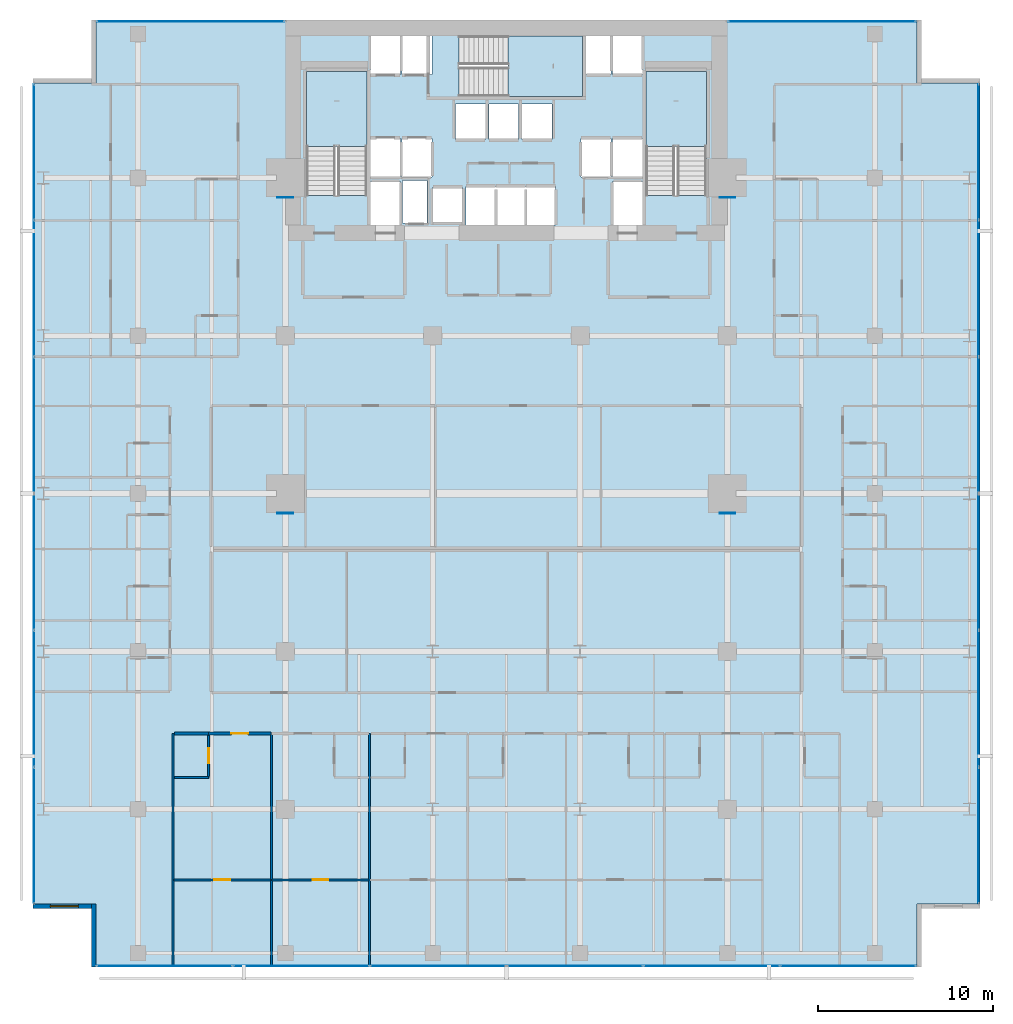
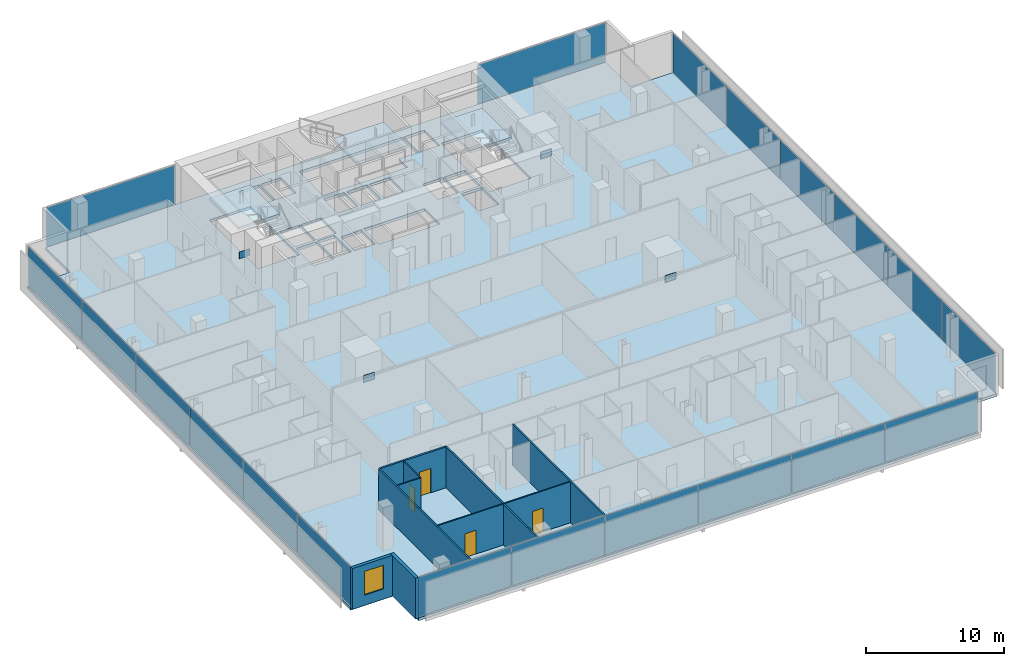
# One storey, part 32 of 41: 24 plates, 11 walls, 4 doors, 4 slabs, 1 window, 5 openings, 8 elements without a shape of their own.
"""IFC4 building model written with IfcOpenShell, lengths in metres."""

from ifc_helpers import new_model, si_unit, direction, frame, frame_2d, origin, origin_2d, place, context, subcontext, project, spatial, polyline, rectangle, outline, extrude, material, layer, layer_set, type_object, element, fill, aggregate, save


model = new_model("IFC4")

# Units and contexts
model_context = context("Model", 3, precision=1e-05, world=origin(), true_north=direction((0.0, 1.0)))
body_context = subcontext(model_context, "Body", "Model", "MODEL_VIEW")
ifc_project = project(units=[si_unit("LENGTHUNIT", "METRE"), si_unit("AREAUNIT", "SQUARE_METRE"), si_unit("VOLUMEUNIT", "CUBIC_METRE"), si_unit("PLANEANGLEUNIT", "RADIAN"), si_unit("MASSUNIT", "GRAM", prefix="KILO")], contexts=[model_context])

# Site, building, storey
site_placement = place(None, origin())
site = spatial("IfcSite", under=ifc_project, at=site_placement, CompositionType="ELEMENT")
building_placement = place(site_placement, origin())
building = spatial("IfcBuilding", under=site, at=building_placement, Name="Maruvema Waterfront Hotel and Observation Tower", CompositionType="ELEMENT")
storey_placement = place(building_placement, frame((0.0, 0.0, 61.60009765625)))
storey = spatial("IfcBuildingStorey", under=building, at=storey_placement, Name="L14", CompositionType="ELEMENT", Elevation=61.60009765625)

# Slab
ifc_material_1 = material(Name="Concrete C50/60", Category="concrete")
ifc_layer_1 = layer(ifc_material_1, 0.239990234375, Name="Reinforced Concrete Floor Slab 240 mm")
ifc_layer_set_1 = layer_set([ifc_layer_1], Name="Concrete C50/60")
slab_type_1 = type_object("IfcSlabType", Name="Reinforced Concrete Floor Slab 240 mm", PredefinedType="FLOOR", material=ifc_layer_set_1)
slab_1_placement = place(storey_placement, frame((0.0, 0.0, -0.239990234375)))
element("IfcSlab", 1, at=slab_1_placement, inside=storey, type_object=slab_type_1, Name="L14 Structural Floor Slab", PredefinedType="FLOOR", context=body_context, shape_type="SweptSolid", body=[
    extrude(outline(polyline([(14.39990234375, 0.0), (61.199951171875, 0.0), (61.199951171875, 3.60009765625), (64.800048828125, 3.60009765625), (64.800048828125, 50.39990234375), (61.199951171875, 50.39990234375), (61.199951171875, 54.0), (14.39990234375, 54.0), (14.39990234375, 50.39990234375), (10.800048828125, 50.39990234375), (10.800048828125, 3.60009765625), (14.39990234375, 3.60009765625), (14.39990234375, 0.0)]), holes=[polyline([(26.39990234375, 44.00048828125), (26.39990234375, 51.050048828125), (29.85009765625, 51.050048828125), (29.85009765625, 44.00048828125), (26.39990234375, 44.00048828125)]), polyline([(30.050048828125, 44.800048828125), (31.75, 44.800048828125), (31.75, 42.320068359375), (30.050048828125, 42.320068359375), (30.050048828125, 44.800048828125)]), polyline([(31.75, 47.25), (31.75, 45.050048828125), (30.050048828125, 45.050048828125), (30.050048828125, 47.25), (31.75, 47.25)]), polyline([(31.75, 53.10009765625), (31.75, 50.89990234375), (30.050048828125, 50.89990234375), (30.050048828125, 53.10009765625), (31.75, 53.10009765625)]), polyline([(33.280029296875, 44.860107421875), (33.280029296875, 42.43994140625), (31.8798828125, 42.43994140625), (31.8798828125, 44.860107421875), (33.280029296875, 44.860107421875)]), polyline([(31.85009765625, 47.25), (33.550048828125, 47.25), (33.550048828125, 45.050048828125), (31.85009765625, 45.050048828125), (31.85009765625, 47.25)]), polyline([(31.85009765625, 53.10009765625), (33.550048828125, 53.10009765625), (33.550048828125, 50.89990234375), (31.85009765625, 50.89990234375), (31.85009765625, 53.10009765625)]), polyline([(33.60009765625, 44.449951171875), (35.300048828125, 44.449951171875), (35.300048828125, 42.449951171875), (33.60009765625, 42.449951171875), (33.60009765625, 44.449951171875)]), polyline([(34.89990234375, 49.199951171875), (36.60009765625, 49.199951171875), (36.60009765625, 47.199951171875), (34.89990234375, 47.199951171875), (34.89990234375, 49.199951171875)]), polyline([(38.5, 49.199951171875), (38.5, 47.199951171875), (36.800048828125, 47.199951171875), (36.800048828125, 49.199951171875), (38.5, 49.199951171875)]), polyline([(35.5, 44.5), (40.60009765625, 44.5), (40.60009765625, 42.300048828125), (35.5, 42.300048828125), (35.5, 44.5)]), polyline([(43.75, 50.89990234375), (42.14990234375, 50.89990234375), (42.14990234375, 49.64990234375), (35.1005859375, 49.64990234375), (35.1005859375, 53.10009765625), (43.75, 53.10009765625), (43.75, 50.89990234375)]), polyline([(40.39990234375, 49.199951171875), (40.39990234375, 47.199951171875), (38.699951171875, 47.199951171875), (38.699951171875, 49.199951171875), (40.39990234375, 49.199951171875)]), polyline([(43.75, 47.25), (43.75, 45.050048828125), (42.050048828125, 45.050048828125), (42.050048828125, 47.25), (43.75, 47.25)]), polyline([(45.550048828125, 44.800048828125), (45.550048828125, 42.320068359375), (43.85009765625, 42.320068359375), (43.85009765625, 44.800048828125), (45.550048828125, 44.800048828125)]), polyline([(43.85009765625, 47.25), (45.550048828125, 47.25), (45.550048828125, 45.050048828125), (43.85009765625, 45.050048828125), (43.85009765625, 47.25)]), polyline([(45.550048828125, 53.10009765625), (45.550048828125, 50.89990234375), (43.85009765625, 50.89990234375), (43.85009765625, 53.10009765625), (45.550048828125, 53.10009765625)]), polyline([(45.75, 51.050048828125), (49.199951171875, 51.050048828125), (49.199951171875, 44.00048828125), (45.75, 44.00048828125), (45.75, 51.050048828125)])]), origin(), (0.0, 0.0, 1.0), 0.239990234375),
])

# Curtain wall, plates
ifc_material_2 = material(Name="Anodised bronze aluminium and solar-control low-E IGU", Category="aluminium")
ifc_layer_2 = layer(ifc_material_2, 0.159912109375, Name="Zone 1 Bronze Inner Thermal Curtain Wall System CW-02")
ifc_layer_set_2 = layer_set([ifc_layer_2], Name="Anodised bronze aluminium and solar-control low-E IGU")
curtain_wall_type = type_object("IfcCurtainWallType", Name="Zone 1 Bronze Inner Thermal Curtain Wall System CW-02", PredefinedType="USERDEFINED", material=ifc_layer_set_2)
curtain_wall_1_placement = place(storey_placement, origin())
curtain_wall_1 = element("IfcCurtainWall", 2, at=curtain_wall_1_placement, inside=storey, type_object=curtain_wall_type, Name="L14 Curtain Wall CW-L14-S", ObjectType="UNITISED CURTAIN WALL", PredefinedType="USERDEFINED")
ifc_material_3 = material(Name="Laminated low-E solar-control double glazing", Category="glass")
ifc_layer_3 = layer(ifc_material_3, 0.035888671875, Name="Solar Control Double-Glazed Curtain Panel 36 mm")
ifc_layer_set_3 = layer_set([ifc_layer_3], Name="Laminated low-E solar-control double glazing")
plate_type_1 = type_object("IfcPlateType", Name="Solar Control Double-Glazed Curtain Panel 36 mm", PredefinedType="CURTAIN_PANEL", material=ifc_layer_set_3)
plate_1_placement = place(storey_placement, frame((18.31494140625, 0.080078125, 0.06005859375), z_axis=(0.0, 0.0, 1.0), x_axis=(1.0, 0.0, 0.0)))
plate_1 = element("IfcPlate", 3, at=plate_1_placement, type_object=plate_type_1, Name="CW-02 panel 1.1", PredefinedType="CURTAIN_PANEL", context=body_context, shape_type="SweptSolid", body=[
    extrude(rectangle(XDim=7.7099609375, YDim=0.028076171875, at=origin_2d()), origin(), (0.0, 0.0, 1.0), 3.489990234375),
])
plate_2_placement = place(storey_placement, frame((26.10009765625, 0.080078125, 0.06005859375), z_axis=(0.0, 0.0, 1.0), x_axis=(1.0, 0.0, 0.0)))
plate_2 = element("IfcPlate", 4, at=plate_2_placement, type_object=plate_type_1, Name="CW-02 panel 2.1", PredefinedType="CURTAIN_PANEL", context=body_context, shape_type="SweptSolid", body=[
    extrude(rectangle(XDim=7.739990234375, YDim=0.028076171875, at=origin_2d()), origin(), (0.0, 0.0, 1.0), 3.489990234375),
])
plate_3_placement = place(storey_placement, frame((33.89990234375, 0.080078125, 0.06005859375), z_axis=(0.0, 0.0, 1.0), x_axis=(1.0, 0.0, 0.0)))
plate_3 = element("IfcPlate", 5, at=plate_3_placement, type_object=plate_type_1, Name="CW-02 panel 3.1", PredefinedType="CURTAIN_PANEL", context=body_context, shape_type="SweptSolid", body=[
    extrude(rectangle(XDim=7.739990234375, YDim=0.028076171875, at=origin_2d()), origin(), (0.0, 0.0, 1.0), 3.489990234375),
])
plate_4_placement = place(storey_placement, frame((41.699951171875, 0.080078125, 0.06005859375), z_axis=(0.0, 0.0, 1.0), x_axis=(1.0, 0.0, 0.0)))
plate_4 = element("IfcPlate", 6, at=plate_4_placement, type_object=plate_type_1, Name="CW-02 panel 4.1", PredefinedType="CURTAIN_PANEL", context=body_context, shape_type="SweptSolid", body=[
    extrude(rectangle(XDim=7.739990234375, YDim=0.028076171875, at=origin_2d()), origin(), (0.0, 0.0, 1.0), 3.489990234375),
])
plate_5_placement = place(storey_placement, frame((49.5, 0.080078125, 0.06005859375), z_axis=(0.0, 0.0, 1.0), x_axis=(1.0, 0.0, 0.0)))
plate_5 = element("IfcPlate", 7, at=plate_5_placement, type_object=plate_type_1, Name="CW-02 panel 5.1", PredefinedType="CURTAIN_PANEL", context=body_context, shape_type="SweptSolid", body=[
    extrude(rectangle(XDim=7.739990234375, YDim=0.028076171875, at=origin_2d()), origin(), (0.0, 0.0, 1.0), 3.489990234375),
])
plate_6_placement = place(storey_placement, frame((57.284912109375, 0.080078125, 0.06005859375), z_axis=(0.0, 0.0, 1.0), x_axis=(1.0, 0.0, 0.0)))
plate_6 = element("IfcPlate", 8, at=plate_6_placement, type_object=plate_type_1, Name="CW-02 panel 6.1", PredefinedType="CURTAIN_PANEL", context=body_context, shape_type="SweptSolid", body=[
    extrude(rectangle(XDim=7.7099609375, YDim=0.028076171875, at=origin_2d()), origin(), (0.0, 0.0, 1.0), 3.489990234375),
])
aggregate(curtain_wall_1, [plate_1, plate_2, plate_3, plate_4, plate_5, plate_6])

curtain_wall_2_placement = place(storey_placement, origin())
curtain_wall_2 = element("IfcCurtainWall", 9, at=curtain_wall_2_placement, inside=storey, type_object=curtain_wall_type, Name="L14 Curtain Wall CW-L14-E", ObjectType="UNITISED CURTAIN WALL", PredefinedType="USERDEFINED")
plate_7_placement = place(storey_placement, frame((64.719970703125, 7.514892578125, 0.06005859375), z_axis=(0.0, 0.0, 1.0), x_axis=(0.0, 1.0, 0.0)))
plate_7 = element("IfcPlate", 10, at=plate_7_placement, type_object=plate_type_1, Name="CW-02 panel 1.1", PredefinedType="CURTAIN_PANEL", context=body_context, shape_type="SweptSolid", body=[
    extrude(rectangle(XDim=7.7099609375, YDim=0.028076171875, at=origin_2d()), origin(), (0.0, 0.0, 1.0), 3.489990234375),
])
plate_8_placement = place(storey_placement, frame((64.719970703125, 15.300048828125, 0.06005859375), z_axis=(0.0, 0.0, 1.0), x_axis=(0.0, 1.0, 0.0)))
plate_8 = element("IfcPlate", 11, at=plate_8_placement, type_object=plate_type_1, Name="CW-02 panel 2.1", PredefinedType="CURTAIN_PANEL", context=body_context, shape_type="SweptSolid", body=[
    extrude(rectangle(XDim=7.739990234375, YDim=0.028076171875, at=origin_2d()), origin(), (0.0, 0.0, 1.0), 3.489990234375),
])
plate_9_placement = place(storey_placement, frame((64.719970703125, 23.10009765625, 0.06005859375), z_axis=(0.0, 0.0, 1.0), x_axis=(0.0, 1.0, 0.0)))
plate_9 = element("IfcPlate", 12, at=plate_9_placement, type_object=plate_type_1, Name="CW-02 panel 3.1", PredefinedType="CURTAIN_PANEL", context=body_context, shape_type="SweptSolid", body=[
    extrude(rectangle(XDim=7.739990234375, YDim=0.028076171875, at=origin_2d()), origin(), (0.0, 0.0, 1.0), 3.489990234375),
])
plate_10_placement = place(storey_placement, frame((64.719970703125, 30.89990234375, 0.06005859375), z_axis=(0.0, 0.0, 1.0), x_axis=(0.0, 1.0, 0.0)))
plate_10 = element("IfcPlate", 13, at=plate_10_placement, type_object=plate_type_1, Name="CW-02 panel 4.1", PredefinedType="CURTAIN_PANEL", context=body_context, shape_type="SweptSolid", body=[
    extrude(rectangle(XDim=7.739990234375, YDim=0.028076171875, at=origin_2d()), origin(), (0.0, 0.0, 1.0), 3.489990234375),
])
plate_11_placement = place(storey_placement, frame((64.719970703125, 38.699951171875, 0.06005859375), z_axis=(0.0, 0.0, 1.0), x_axis=(0.0, 1.0, 0.0)))
plate_11 = element("IfcPlate", 14, at=plate_11_placement, type_object=plate_type_1, Name="CW-02 panel 5.1", PredefinedType="CURTAIN_PANEL", context=body_context, shape_type="SweptSolid", body=[
    extrude(rectangle(XDim=7.739990234375, YDim=0.028076171875, at=origin_2d()), origin(), (0.0, 0.0, 1.0), 3.489990234375),
])
plate_12_placement = place(storey_placement, frame((64.719970703125, 46.485107421875, 0.06005859375), z_axis=(0.0, 0.0, 1.0), x_axis=(0.0, 1.0, 0.0)))
plate_12 = element("IfcPlate", 15, at=plate_12_placement, type_object=plate_type_1, Name="CW-02 panel 6.1", PredefinedType="CURTAIN_PANEL", context=body_context, shape_type="SweptSolid", body=[
    extrude(rectangle(XDim=7.7099609375, YDim=0.028076171875, at=origin_2d()), origin(), (0.0, 0.0, 1.0), 3.489990234375),
])
aggregate(curtain_wall_2, [plate_7, plate_8, plate_9, plate_10, plate_11, plate_12])

curtain_wall_3_placement = place(storey_placement, origin())
curtain_wall_3 = element("IfcCurtainWall", 16, at=curtain_wall_3_placement, inside=storey, type_object=curtain_wall_type, Name="L14 Curtain Wall CW-L14-W", ObjectType="UNITISED CURTAIN WALL", PredefinedType="USERDEFINED")
plate_13_placement = place(storey_placement, frame((10.8798828125, 46.485107421875, 0.06005859375), z_axis=(0.0, 0.0, 1.0), x_axis=(0.0, -1.0, 0.0)))
plate_13 = element("IfcPlate", 17, at=plate_13_placement, type_object=plate_type_1, Name="CW-02 panel 1.1", PredefinedType="CURTAIN_PANEL", context=body_context, shape_type="SweptSolid", body=[
    extrude(rectangle(XDim=7.7099609375, YDim=0.028076171875, at=origin_2d()), origin(), (0.0, 0.0, 1.0), 3.489990234375),
])
plate_14_placement = place(storey_placement, frame((10.8798828125, 38.699951171875, 0.06005859375), z_axis=(0.0, 0.0, 1.0), x_axis=(0.0, -1.0, 0.0)))
plate_14 = element("IfcPlate", 18, at=plate_14_placement, type_object=plate_type_1, Name="CW-02 panel 2.1", PredefinedType="CURTAIN_PANEL", context=body_context, shape_type="SweptSolid", body=[
    extrude(rectangle(XDim=7.739990234375, YDim=0.028076171875, at=origin_2d()), origin(), (0.0, 0.0, 1.0), 3.489990234375),
])
plate_15_placement = place(storey_placement, frame((10.8798828125, 30.89990234375, 0.06005859375), z_axis=(0.0, 0.0, 1.0), x_axis=(0.0, -1.0, 0.0)))
plate_15 = element("IfcPlate", 19, at=plate_15_placement, type_object=plate_type_1, Name="CW-02 panel 3.1", PredefinedType="CURTAIN_PANEL", context=body_context, shape_type="SweptSolid", body=[
    extrude(rectangle(XDim=7.739990234375, YDim=0.028076171875, at=origin_2d()), origin(), (0.0, 0.0, 1.0), 3.489990234375),
])
plate_16_placement = place(storey_placement, frame((10.8798828125, 23.10009765625, 0.06005859375), z_axis=(0.0, 0.0, 1.0), x_axis=(0.0, -1.0, 0.0)))
plate_16 = element("IfcPlate", 20, at=plate_16_placement, type_object=plate_type_1, Name="CW-02 panel 4.1", PredefinedType="CURTAIN_PANEL", context=body_context, shape_type="SweptSolid", body=[
    extrude(rectangle(XDim=7.739990234375, YDim=0.028076171875, at=origin_2d()), origin(), (0.0, 0.0, 1.0), 3.489990234375),
])
plate_17_placement = place(storey_placement, frame((10.8798828125, 15.300048828125, 0.06005859375), z_axis=(0.0, 0.0, 1.0), x_axis=(0.0, -1.0, 0.0)))
plate_17 = element("IfcPlate", 21, at=plate_17_placement, type_object=plate_type_1, Name="CW-02 panel 5.1", PredefinedType="CURTAIN_PANEL", context=body_context, shape_type="SweptSolid", body=[
    extrude(rectangle(XDim=7.739990234375, YDim=0.028076171875, at=origin_2d()), origin(), (0.0, 0.0, 1.0), 3.489990234375),
])
plate_18_placement = place(storey_placement, frame((10.8798828125, 7.514892578125, 0.06005859375), z_axis=(0.0, 0.0, 1.0), x_axis=(0.0, -1.0, 0.0)))
plate_18 = element("IfcPlate", 22, at=plate_18_placement, type_object=plate_type_1, Name="CW-02 panel 6.1", PredefinedType="CURTAIN_PANEL", context=body_context, shape_type="SweptSolid", body=[
    extrude(rectangle(XDim=7.7099609375, YDim=0.028076171875, at=origin_2d()), origin(), (0.0, 0.0, 1.0), 3.489990234375),
])
aggregate(curtain_wall_3, [plate_13, plate_14, plate_15, plate_16, plate_17, plate_18])

# Curtain wall, plate
curtain_wall_4_placement = place(storey_placement, origin())
curtain_wall_4 = element("IfcCurtainWall", 23, at=curtain_wall_4_placement, inside=storey, type_object=curtain_wall_type, Name="L14 Curtain Wall CW-L14-NW", ObjectType="UNITISED CURTAIN WALL", PredefinedType="USERDEFINED")
plate_19_placement = place(storey_placement, frame((19.800048828125, 53.919921875, 0.06005859375), z_axis=(0.0, 0.0, 1.0), x_axis=(-1.0, 0.0, 0.0)))
plate_19 = element("IfcPlate", 24, at=plate_19_placement, type_object=plate_type_1, Name="CW-02 panel 1.1", PredefinedType="CURTAIN_PANEL", context=body_context, shape_type="SweptSolid", body=[
    extrude(rectangle(XDim=10.679931640625, YDim=0.028076171875, at=origin_2d()), origin(), (0.0, 0.0, 1.0), 3.489990234375),
])
aggregate(curtain_wall_4, [plate_19])

curtain_wall_5_placement = place(storey_placement, origin())
curtain_wall_5 = element("IfcCurtainWall", 25, at=curtain_wall_5_placement, inside=storey, type_object=curtain_wall_type, Name="L14 Curtain Wall CW-L14-NE", ObjectType="UNITISED CURTAIN WALL", PredefinedType="USERDEFINED")
plate_20_placement = place(storey_placement, frame((55.800048828125, 53.919921875, 0.06005859375), z_axis=(0.0, 0.0, 1.0), x_axis=(-1.0, 0.0, 0.0)))
plate_20 = element("IfcPlate", 26, at=plate_20_placement, type_object=plate_type_1, Name="CW-02 panel 1.1", PredefinedType="CURTAIN_PANEL", context=body_context, shape_type="SweptSolid", body=[
    extrude(rectangle(XDim=10.679931640625, YDim=0.028076171875, at=origin_2d()), origin(), (0.0, 0.0, 1.0), 3.489990234375),
])
aggregate(curtain_wall_5, [plate_20])

# Stair, slab
ifc_material_4 = material(Name="Concrete C50/60", Category="concrete")
stair_type = type_object("IfcStairType", Name="Dogleg Exit Stair 1650 mm (22R x 175.0 mm)", PredefinedType="HALF_TURN_STAIR", material=ifc_material_4)
stair_1_placement = place(storey_placement, origin())
stair_1 = element("IfcStair", 27, at=stair_1_placement, inside=storey, type_object=stair_type, Name="L14 ST-01", PredefinedType="HALF_TURN_STAIR")
ifc_material_5 = material(Name="Concrete C50/60", Category="concrete")
ifc_layer_4 = layer(ifc_material_5, 0.219970703125, Name="Stair Concrete Landing Slab 220 mm")
ifc_layer_set_4 = layer_set([ifc_layer_4], Name="Concrete C50/60")
slab_type_2 = type_object("IfcSlabType", Name="Stair Concrete Landing Slab 220 mm", PredefinedType="LANDING", material=ifc_layer_set_4)
slab_2_placement = place(storey_placement, frame((0.0, 0.0, 1.704833984375)))
slab_2 = element("IfcSlab", 28, at=slab_2_placement, type_object=slab_type_2, Name="ST-01 landing 1", PredefinedType="LANDING", context=body_context, shape_type="SweptSolid", body=[
    extrude(outline(polyline([(29.85009765625, 46.800048828125), (29.85009765625, 51.050048828125), (26.39990234375, 51.050048828125), (26.39990234375, 46.800048828125), (29.85009765625, 46.800048828125)])), origin(), (0.0, 0.0, 1.0), 0.219970703125),
])
aggregate(stair_1, [slab_2])

stair_2_placement = place(storey_placement, origin())
stair_2 = element("IfcStair", 29, at=stair_2_placement, inside=storey, type_object=stair_type, Name="L14 ST-02", PredefinedType="HALF_TURN_STAIR")
slab_3_placement = place(storey_placement, frame((0.0, 0.0, 1.704833984375)))
slab_3 = element("IfcSlab", 30, at=slab_3_placement, type_object=slab_type_2, Name="ST-02 landing 1", PredefinedType="LANDING", context=body_context, shape_type="SweptSolid", body=[
    extrude(outline(polyline([(37.89990234375, 49.64990234375), (42.14990234375, 49.64990234375), (42.14990234375, 53.10009765625), (37.89990234375, 53.10009765625), (37.89990234375, 49.64990234375)])), origin(), (0.0, 0.0, 1.0), 0.219970703125),
])
aggregate(stair_2, [slab_3])

stair_3_placement = place(storey_placement, origin())
stair_3 = element("IfcStair", 31, at=stair_3_placement, inside=storey, type_object=stair_type, Name="L14 ST-03", PredefinedType="HALF_TURN_STAIR")
slab_4_placement = place(storey_placement, frame((0.0, 0.0, 1.704833984375)))
slab_4 = element("IfcSlab", 32, at=slab_4_placement, type_object=slab_type_2, Name="ST-03 landing 1", PredefinedType="LANDING", context=body_context, shape_type="SweptSolid", body=[
    extrude(outline(polyline([(49.199951171875, 46.800048828125), (49.199951171875, 51.050048828125), (45.75, 51.050048828125), (45.75, 46.800048828125), (49.199951171875, 46.800048828125)])), origin(), (0.0, 0.0, 1.0), 0.219970703125),
])
aggregate(stair_3, [slab_4])

# Plates
ifc_material_6 = material(Name="Steel ABNT NBR 7007 AR 415 (ASTM A572 Grade 50)", Category="steel")
ifc_layer_5 = layer(ifc_material_6, 0.0400390625, Name="Structural Truss Node Gusset Plate 40 mm")
ifc_layer_set_5 = layer_set([ifc_layer_5], Name="Steel ABNT NBR 7007 AR 415 (ASTM A572 Grade 50)")
plate_type_2 = type_object("IfcPlateType", Name="Structural Truss Node Gusset Plate 40 mm", PredefinedType="USERDEFINED", material=ifc_layer_set_5)
for number, where, z_axis, x_axis, name in (
    (33, (25.199951171875, 25.8798828125, 1.499755859375), (0.0, 0.0, 1.0), (1.0, 0.0, 0.0), "L14 MC-01 Moment Frame Continuity Gusset Plate"),
    (34, (50.39990234375, 25.8798828125, 1.499755859375), (0.0, 0.0, 1.0), (1.0, 0.0, 0.0), "L14 MC-02 Moment Frame Continuity Gusset Plate"),
    (35, (25.199951171875, 43.8798828125, 1.499755859375), (0.0, 0.0, 1.0), (1.0, 0.0, 0.0), "L14 MC-03 Moment Frame Continuity Gusset Plate"),
    (36, (50.39990234375, 43.8798828125, 1.499755859375), (0.0, 0.0, 1.0), (1.0, 0.0, 0.0), "L14 MC-04 Moment Frame Continuity Gusset Plate"),
):
    element("IfcPlate", number, at=place(storey_placement, frame(where, z_axis=z_axis, x_axis=x_axis)), inside=storey, type_object=plate_type_2, Name=name, ObjectType="GUSSET_PLATE", PredefinedType="USERDEFINED", context=body_context, shape_type="SweptSolid", body=[
        extrude(rectangle(XDim=0.89990234375, YDim=0.0400390625, at=origin_2d()), origin(), (0.0, 0.0, 1.0), 0.60009765625),
    ])

# Wall
ifc_material_7 = material(Name="Twin-stud acoustic gypsum drywall", Category="gypsum")
ifc_layer_6 = layer(ifc_material_7, 0.14990234375, Name="Acoustic Corridor and Suite Demising Wall 150 mm")
ifc_layer_set_6 = layer_set([ifc_layer_6], Name="Twin-stud acoustic gypsum drywall")
wall_type_1 = type_object("IfcWallType", Name="Acoustic Corridor and Suite Demising Wall 150 mm", PredefinedType="PARTITIONING", material=ifc_layer_set_6)
wall_1_placement = place(storey_placement, frame((18.8798828125, 13.320068359375, 0.0), z_axis=(0.0, 0.0, 1.0), x_axis=(1.0, 0.0, 0.0)))
element("IfcWall", 37, at=wall_1_placement, inside=storey, type_object=wall_type_1, Name="L14 Bath L14-S1 Back Wall 042", PredefinedType="PARTITIONING", context=body_context, shape_type="SweptSolid", body=[
    extrude(rectangle(XDim=1.940185546875, YDim=0.14990234375, at=frame_2d((0.97021484375, 0.0))), origin(), (0.0, 0.0, 1.0), 3.60986328125),
])

# Wall, opening, door
wall_2_placement = place(storey_placement, frame((20.820068359375, 13.320068359375, 0.0), z_axis=(0.0, 0.0, 1.0), x_axis=(1.0, 0.0, 0.0)))
wall_2 = element("IfcWall", 38, at=wall_2_placement, inside=storey, type_object=wall_type_1, Name="L14 Unit L14-S1 Corridor Wall 045", PredefinedType="PARTITIONING", context=body_context, shape_type="SweptSolid", body=[
    extrude(rectangle(XDim=3.559814453125, YDim=0.14990234375, at=frame_2d((1.77978515625, 0.0))), origin(), (0.0, 0.0, 1.0), 3.60986328125),
])
opening_1_placement = place(wall_2_placement, frame((1.304931640625, 0.0, 0.0)))
opening_1 = element("IfcOpeningElement", 39, at=opening_1_placement, cuts=wall_2, Name="Opening DR-095", PredefinedType="OPENING", context=body_context, shape_type="SweptSolid", body=[
    extrude(rectangle(XDim=0.949951171875, YDim=2.14990234375, at=frame_2d((0.47509765625, 1.074951171875))), frame((0.0, 0.0849609375, 0.0), z_axis=(0.0, -1.0, 0.0), x_axis=(1.0, 0.0, 0.0)), (0.0, 0.0, 1.0), 0.169921875),
])
ifc_material_8 = material(Name="Acoustic solid-core hardwood timber leaf", Category="wood")
door_type_1 = type_object("IfcDoorType", Name="Guestroom Entrance Fire Door 950x2150 mm", OperationType="NOTDEFINED", PredefinedType="DOOR", material=ifc_material_8)
door_1_placement = place(opening_1_placement, frame((0.949951171875, 0.0, 0.0), z_axis=(0.0, 0.0, 1.0), x_axis=(-1.0, 0.0, 0.0)))
door_1 = element("IfcDoor", 40, at=door_1_placement, inside=storey, type_object=door_type_1, Name="L14 Unit L14-S1 Entrance Door", OperationType="SINGLE_SWING_RIGHT", OverallHeight=2.14990234375, OverallWidth=0.949951171875, PredefinedType="DOOR", context=body_context, shape_type="SweptSolid", body=[
    extrude(rectangle(XDim=0.949951171875, YDim=2.14990234375, at=frame_2d((0.47509765625, 1.074951171875))), frame((0.0, 0.02490234375, 0.0), z_axis=(0.0, -1.0, 0.0), x_axis=(1.0, 0.0, 0.0)), (0.0, 0.0, 1.0), 0.050048828125),
])
fill(opening_1, door_1)

# Wall
ifc_material_9 = material(Name="Moisture-resistant cement-board drywall", Category="gypsum")
ifc_layer_7 = layer(ifc_material_9, 0.10009765625, Name="En-Suite Moisture-Resistant Partition 100 mm")
ifc_layer_set_7 = layer_set([ifc_layer_7], Name="Moisture-resistant cement-board drywall")
wall_type_2 = type_object("IfcWallType", Name="En-Suite Moisture-Resistant Partition 100 mm", PredefinedType="PARTITIONING", material=ifc_layer_set_7)
wall_3_placement = place(storey_placement, frame((18.8798828125, 10.820068359375, 0.0), z_axis=(0.0, 0.0, 1.0), x_axis=(1.0, 0.0, 0.0)))
element("IfcWall", 41, at=wall_3_placement, inside=storey, type_object=wall_type_2, Name="L14 En-Suite L14-S1 South 043", PredefinedType="PARTITIONING", context=body_context, shape_type="SweptSolid", body=[
    extrude(rectangle(XDim=1.940185546875, YDim=0.10009765625, at=frame_2d((0.97021484375, 0.0))), origin(), (0.0, 0.0, 1.0), 3.60986328125),
])

# Wall, opening, door
wall_4_placement = place(storey_placement, frame((20.820068359375, 10.8798828125, 0.0), z_axis=(0.0, 0.0, 1.0), x_axis=(0.0, 1.0, 0.0)))
wall_4 = element("IfcWall", 42, at=wall_4_placement, inside=storey, type_object=wall_type_2, Name="L14 En-Suite L14-S1 East 044", PredefinedType="PARTITIONING", context=body_context, shape_type="SweptSolid", body=[
    extrude(rectangle(XDim=2.340087890625, YDim=0.10009765625, at=frame_2d((1.169921875, 0.0))), origin(), (0.0, 0.0, 1.0), 3.60986328125),
])
opening_2_placement = place(wall_4_placement, frame((0.7451171875, 0.0, 0.0)))
opening_2 = element("IfcOpeningElement", 43, at=opening_2_placement, cuts=wall_4, Name="Opening DR-085", PredefinedType="OPENING", context=body_context, shape_type="SweptSolid", body=[
    extrude(rectangle(XDim=0.85009765625, YDim=2.10009765625, at=frame_2d((0.425048828125, 1.050048828125))), frame((0.0, 0.06005859375, 0.0), z_axis=(0.0, -1.0, 0.0), x_axis=(1.0, 0.0, 0.0)), (0.0, 0.0, 1.0), 0.1201171875),
])
ifc_material_10 = material(Name="Moisture-resistant solid timber leaf", Category="wood")
door_type_2 = type_object("IfcDoorType", Name="En-Suite Bathroom Door 850x2100 mm", OperationType="NOTDEFINED", PredefinedType="DOOR", material=ifc_material_10)
door_2_placement = place(opening_2_placement, frame((0.85009765625, 0.0, 0.0), z_axis=(0.0, 0.0, 1.0), x_axis=(-1.0, 0.0, 0.0)))
door_2 = element("IfcDoor", 44, at=door_2_placement, inside=storey, type_object=door_type_2, Name="L14 En-Suite L14-S1 Door", OperationType="SINGLE_SWING_LEFT", OverallHeight=2.10009765625, OverallWidth=0.85009765625, PredefinedType="DOOR", context=body_context, shape_type="SweptSolid", body=[
    extrude(rectangle(XDim=0.85009765625, YDim=2.10009765625, at=frame_2d((0.425048828125, 1.050048828125))), frame((0.0, 0.02490234375, 0.0), z_axis=(0.0, -1.0, 0.0), x_axis=(1.0, 0.0, 0.0)), (0.0, 0.0, 1.0), 0.050048828125),
])
fill(opening_2, door_2)

wall_5_placement = place(storey_placement, frame((18.840087890625, 4.977294921875, 0.0), z_axis=(0.0, 0.0, 1.0), x_axis=(1.0, 0.0, 0.0)))
wall_5 = element("IfcWall", 45, at=wall_5_placement, inside=storey, type_object=wall_type_2, Name="L14 Suite L14-S1 Split 046", PredefinedType="PARTITIONING", context=body_context, shape_type="SweptSolid", body=[
    extrude(rectangle(XDim=5.52001953125, YDim=0.10009765625, at=frame_2d((2.760009765625, 0.0))), origin(), (0.0, 0.0, 1.0), 3.60986328125),
])
opening_3_placement = place(wall_5_placement, frame((2.31005859375, 0.0, 0.0)))
opening_3 = element("IfcOpeningElement", 46, at=opening_3_placement, cuts=wall_5, Name="Opening DR-090", PredefinedType="OPENING", context=body_context, shape_type="SweptSolid", body=[
    extrude(rectangle(XDim=0.89990234375, YDim=2.10009765625, at=frame_2d((0.449951171875, 1.050048828125))), frame((0.0, 0.06005859375, 0.0), z_axis=(0.0, -1.0, 0.0), x_axis=(1.0, 0.0, 0.0)), (0.0, 0.0, 1.0), 0.1201171875),
])
ifc_material_11 = material(Name="Solid-core lacquered timber leaf", Category="wood")
door_type_3 = type_object("IfcDoorType", Name="Accessible Toilet and Room Door 900x2100 mm", OperationType="NOTDEFINED", PredefinedType="DOOR", material=ifc_material_11)
door_3_placement = place(opening_3_placement, frame((0.89990234375, 0.0, 0.0), z_axis=(0.0, 0.0, 1.0), x_axis=(-1.0, 0.0, 0.0)))
door_3 = element("IfcDoor", 47, at=door_3_placement, inside=storey, type_object=door_type_3, Name="L14 Suite L14-S1 Bedroom Door", OperationType="SINGLE_SWING_LEFT", OverallHeight=2.10009765625, OverallWidth=0.89990234375, PredefinedType="DOOR", context=body_context, shape_type="SweptSolid", body=[
    extrude(rectangle(XDim=0.89990234375, YDim=2.10009765625, at=frame_2d((0.449951171875, 1.050048828125))), frame((0.0, 0.02490234375, 0.0), z_axis=(0.0, -1.0, 0.0), x_axis=(1.0, 0.0, 0.0)), (0.0, 0.0, 1.0), 0.050048828125),
])
fill(opening_3, door_3)

wall_6_placement = place(storey_placement, frame((24.43994140625, 4.977294921875, 0.0), z_axis=(0.0, 0.0, 1.0), x_axis=(1.0, 0.0, 0.0)))
wall_6 = element("IfcWall", 48, at=wall_6_placement, inside=storey, type_object=wall_type_2, Name="L14 Suite L14-S2 Split 052", PredefinedType="PARTITIONING", context=body_context, shape_type="SweptSolid", body=[
    extrude(rectangle(XDim=5.52001953125, YDim=0.10009765625, at=frame_2d((2.760009765625, 0.0))), origin(), (0.0, 0.0, 1.0), 3.60986328125),
])
opening_4_placement = place(wall_6_placement, frame((2.31005859375, 0.0, 0.0)))
opening_4 = element("IfcOpeningElement", 49, at=opening_4_placement, cuts=wall_6, Name="Opening DR-090", PredefinedType="OPENING", context=body_context, shape_type="SweptSolid", body=[
    extrude(rectangle(XDim=0.89990234375, YDim=2.10009765625, at=frame_2d((0.449951171875, 1.050048828125))), frame((0.0, 0.06005859375, 0.0), z_axis=(0.0, -1.0, 0.0), x_axis=(1.0, 0.0, 0.0)), (0.0, 0.0, 1.0), 0.1201171875),
])
door_4_placement = place(opening_4_placement, frame((0.89990234375, 0.0, 0.0), z_axis=(0.0, 0.0, 1.0), x_axis=(-1.0, 0.0, 0.0)))
door_4 = element("IfcDoor", 50, at=door_4_placement, inside=storey, type_object=door_type_3, Name="L14 Suite L14-S2 Bedroom Door", OperationType="SINGLE_SWING_RIGHT", OverallHeight=2.10009765625, OverallWidth=0.89990234375, PredefinedType="DOOR", context=body_context, shape_type="SweptSolid", body=[
    extrude(rectangle(XDim=0.89990234375, YDim=2.10009765625, at=frame_2d((0.449951171875, 1.050048828125))), frame((0.0, 0.02490234375, 0.0), z_axis=(0.0, -1.0, 0.0), x_axis=(1.0, 0.0, 0.0)), (0.0, 0.0, 1.0), 0.050048828125),
])
fill(opening_4, door_4)

# Wall
ifc_material_12 = material(Name="Precast concrete C45/55 with honed Pernambuco granite facing", Category="masonry")
ifc_layer_8 = layer(ifc_material_12, 0.260009765625, Name="Exterior Granite Clad Spandrel and Pier Wall 260 mm")
ifc_layer_set_8 = layer_set([ifc_layer_8], Name="Precast concrete C45/55 with honed Pernambuco granite facing")
wall_type_3 = type_object("IfcWallType", Name="Exterior Granite Clad Spandrel and Pier Wall 260 mm", PredefinedType="SOLIDWALL", material=ifc_layer_set_8)
wall_7_placement = place(storey_placement, frame((14.27001953125, 0.0, 0.0), z_axis=(0.0, 0.0, 1.0), x_axis=(0.0, 1.0, 0.0)))
element("IfcWall", 51, at=wall_7_placement, inside=storey, type_object=wall_type_3, Name="L14 Corner Notch Granite Pier Wall SW1", PredefinedType="SOLIDWALL", context=body_context, shape_type="SweptSolid", body=[
    extrude(rectangle(XDim=3.60009765625, YDim=0.260009765625, at=frame_2d((1.800048828125, 0.0))), origin(), (0.0, 0.0, 1.0), 3.60986328125),
])

# Wall, opening, window
wall_8_placement = place(storey_placement, frame((14.39990234375, 3.469970703125, 0.0), z_axis=(0.0, 0.0, 1.0), x_axis=(-1.0, 0.0, 0.0)))
wall_8 = element("IfcWall", 52, at=wall_8_placement, inside=storey, type_object=wall_type_3, Name="L14 Corner Notch Granite Pier Wall SW2", PredefinedType="SOLIDWALL", context=body_context, shape_type="SweptSolid", body=[
    extrude(rectangle(XDim=3.599853515625, YDim=0.260009765625, at=frame_2d((1.7998046875, 0.0))), origin(), (0.0, 0.0, 1.0), 3.60986328125),
])
opening_5_placement = place(wall_8_placement, frame((1.0, 0.0, 0.89990234375)))
opening_5 = element("IfcOpeningElement", 53, at=opening_5_placement, cuts=wall_8, Name="Opening WN-01", PredefinedType="OPENING", context=body_context, shape_type="SweptSolid", body=[
    extrude(rectangle(XDim=1.60009765625, YDim=2.10009765625, at=frame_2d((0.800048828125, 1.050048828125))), frame((0.0, 0.14013671875, 0.0), z_axis=(0.0, -1.0, 0.0), x_axis=(1.0, 0.0, 0.0)), (0.0, 0.0, 1.0), 0.280029296875),
])
ifc_material_13 = material(Name="Anodised bronze aluminium frame with laminated low-E glass", Category="aluminium")
window_type = type_object("IfcWindowType", Name="Corner Notch Feature Window 1600x2100 mm", PartitioningType="SINGLE_PANEL", PredefinedType="WINDOW", material=ifc_material_13)
window_placement = place(opening_5_placement, origin())
window = element("IfcWindow", 54, at=window_placement, inside=storey, type_object=window_type, Name="L14 Corner Notch Punched Window SW2", OverallHeight=2.10009765625, OverallWidth=1.60009765625, PartitioningType="SINGLE_PANEL", PredefinedType="WINDOW", context=body_context, shape_type="SweptSolid", body=[
    extrude(rectangle(XDim=1.60009765625, YDim=2.10009765625, at=frame_2d((0.800048828125, 1.050048828125))), frame((0.0, 0.030029296875, 0.0), z_axis=(0.0, -1.0, 0.0), x_axis=(1.0, 0.0, 0.0)), (0.0, 0.0, 1.0), 0.06005859375),
])
fill(opening_5, window)

# Walls
ifc_material_14 = material(Name="Acoustic gypsum plasterboard drywall", Category="gypsum")
ifc_layer_9 = layer(ifc_material_14, 0.125, Name="Guestroom Acoustic Demising Wall 125 mm")
ifc_layer_set_9 = layer_set([ifc_layer_9], Name="Acoustic gypsum plasterboard drywall")
wall_type_4 = type_object("IfcWallType", Name="Guestroom Acoustic Demising Wall 125 mm", PredefinedType="PARTITIONING", material=ifc_layer_set_9)
for number, where, z_axis, x_axis, name in (
    (55, (18.800048828125, 0.10009765625, 0.0), (0.0, 0.0, 1.0), (0.0, 1.0, 0.0), "L14 S West End 040"),
    (56, (24.39990234375, 0.10009765625, 0.0), (0.0, 0.0, 1.0), (0.0, 1.0, 0.0), "L14 S Demising 2 047"),
    (57, (30.0, 0.10009765625, 0.0), (0.0, 0.0, 1.0), (0.0, 1.0, 0.0), "L14 S Demising 3 053"),
):
    element("IfcWall", number, at=place(storey_placement, frame(where, z_axis=z_axis, x_axis=x_axis)), inside=storey, type_object=wall_type_4, Name=name, PredefinedType="PARTITIONING", context=body_context, shape_type="SweptSolid", body=[
        extrude(rectangle(XDim=13.219970703125, YDim=0.125, at=frame_2d((6.60986328125, 0.0))), origin(), (0.0, 0.0, 1.0), 3.60986328125),
    ])

save(model, "model.ifc")
